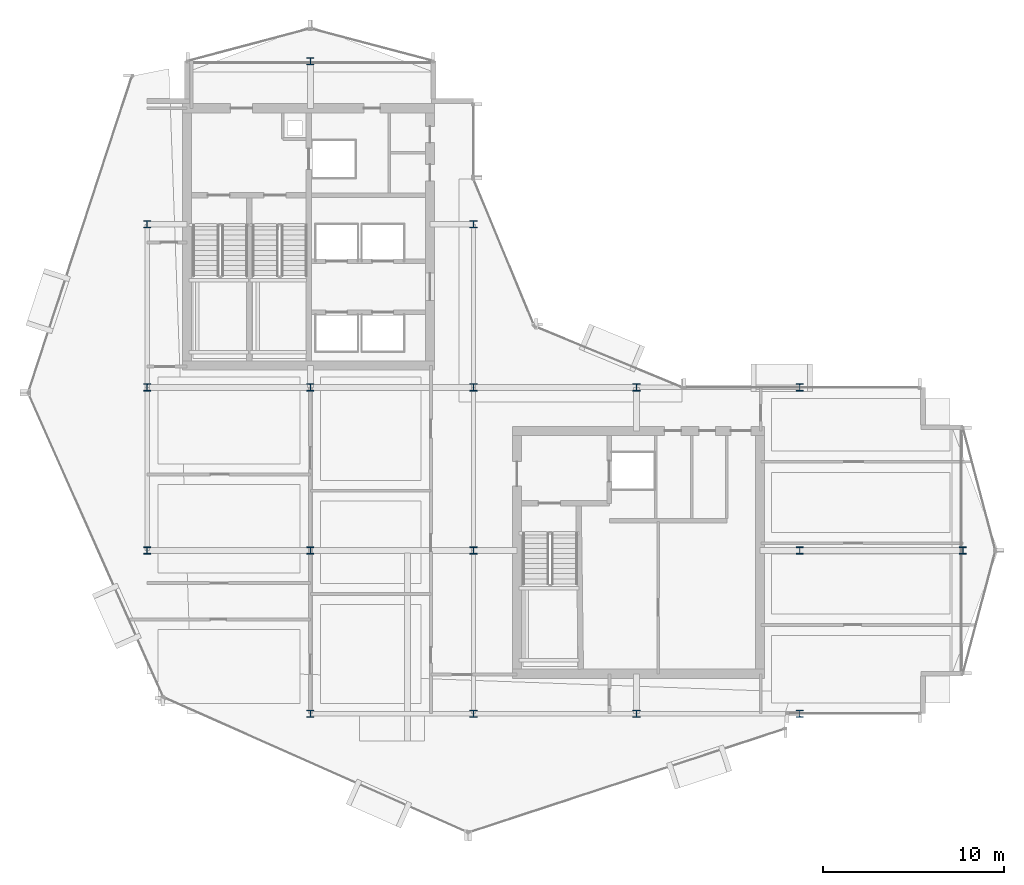
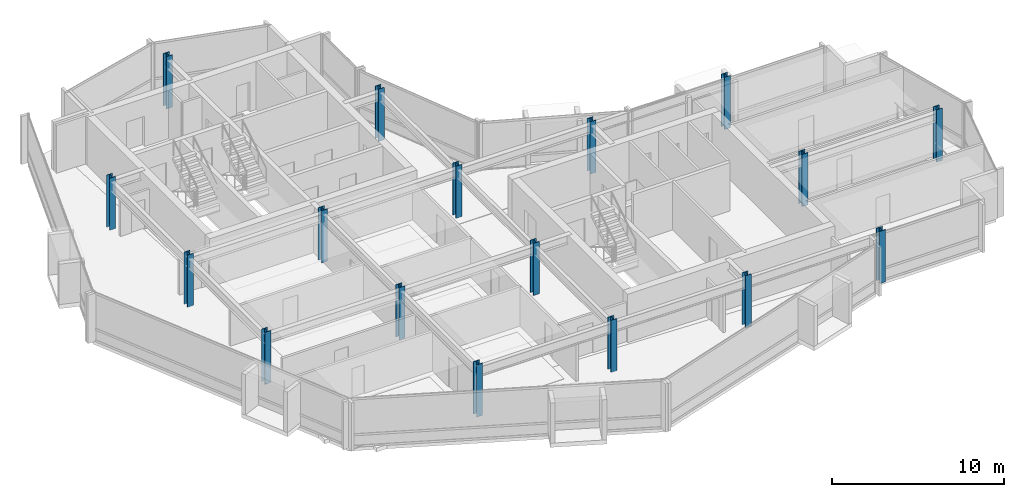
# One storey, part 1 of 28: 17 columns.
"""IFC4 building model written with IfcOpenShell, lengths in metres."""

from ifc_helpers import new_model, si_unit, direction, frame, origin, origin_2d, place, context, subcontext, project, spatial, i_section, extrude, material, material_profile, profile_set, type_object, element, save


model = new_model("IFC4")

# Units and contexts
model_context = context("Model", 3, precision=1e-05, world=origin(), true_north=direction((0.0, 1.0)))
body_context = subcontext(model_context, "Body", "Model", "MODEL_VIEW")
ifc_project = project(units=[si_unit("LENGTHUNIT", "METRE"), si_unit("AREAUNIT", "SQUARE_METRE"), si_unit("VOLUMEUNIT", "CUBIC_METRE"), si_unit("PLANEANGLEUNIT", "RADIAN"), si_unit("MASSUNIT", "GRAM", prefix="KILO")], contexts=[model_context])

# Site, building, storey
site_placement = place(None, origin())
site = spatial("IfcSite", under=ifc_project, at=site_placement, CompositionType="ELEMENT")
building_placement = place(site_placement, origin())
building = spatial("IfcBuilding", under=site, at=building_placement, Name="Solvaryn Broadcast Tower", CompositionType="ELEMENT")
storey_placement = place(building_placement, frame((0.0, 0.0, 217.300048828125)))
storey = spatial("IfcBuildingStorey", under=building, at=storey_placement, Name="L54", CompositionType="ELEMENT", Elevation=217.300048828125)

# Columns
ifc_material_1 = material(Name="Steel ASTM A913 Grade 65", Category="steel")
ifc_material_profile_1 = material_profile(ifc_material_1, i_section(OverallWidth=0.40087890625, OverallDepth=0.39892578125, WebThickness=0.02490234375, FlangeThickness=0.03955078125, FilletRadius=0.014892578125, at=origin_2d()))
ifc_profile_set_1 = profile_set([ifc_material_profile_1], Name="Steel ASTM A913 Grade 65")
column_type_1 = type_object("IfcColumnType", Name="COL-C08E-W14X211", PredefinedType="COLUMN", material=ifc_profile_set_1)
for number, where, z_axis, x_axis, name in (
    (1, (9.0, 18.0, 0.0), (0.0, 0.0, 1.0), (1.0, 0.0, 0.0), "L54 Column (9.0, 18.0)"),
    (2, (9.0, 27.0, 0.0), (0.0, 0.0, 1.0), (1.0, 0.0, 0.0), "L54 Column (9.0, 27.0)"),
    (3, (9.0, 36.0, 0.0), (0.0, 0.0, 1.0), (1.0, 0.0, 0.0), "L54 Column (9.0, 36.0)"),
    (4, (18.0, 9.0, 0.0), (0.0, 0.0, 1.0), (1.0, 0.0, 0.0), "L54 Column (18.0, 9.0)"),
    (5, (18.0, 45.0, 0.0), (0.0, 0.0, 1.0), (1.0, 0.0, 0.0), "L54 Column (18.0, 45.0)"),
    (6, (27.0, 9.0, 0.0), (0.0, 0.0, 1.0), (1.0, 0.0, 0.0), "L54 Column (27.0, 9.0)"),
    (7, (27.0, 36.0, 0.0), (0.0, 0.0, 1.0), (1.0, 0.0, 0.0), "L54 Column (27.0, 36.0)"),
    (8, (36.0, 9.0, 0.0), (0.0, 0.0, 1.0), (1.0, 0.0, 0.0), "L54 Column (36.0, 9.0)"),
    (9, (36.0, 27.0, 0.0), (0.0, 0.0, 1.0), (1.0, 0.0, 0.0), "L54 Column (36.0, 27.0)"),
    (10, (45.0, 9.0, 0.0), (0.0, 0.0, 1.0), (1.0, 0.0, 0.0), "L54 Column (45.0, 9.0)"),
    (11, (45.0, 27.0, 0.0), (0.0, 0.0, 1.0), (1.0, 0.0, 0.0), "L54 Column (45.0, 27.0)"),
    (12, (54.0, 18.0, 0.0), (0.0, 0.0, 1.0), (1.0, 0.0, 0.0), "L54 Column (54.0, 18.0)"),
):
    element("IfcColumn", number, at=place(storey_placement, frame(where, z_axis=z_axis, x_axis=x_axis)), inside=storey, type_object=column_type_1, Name=name, PredefinedType="COLUMN", context=body_context, shape_type="SweptSolid", body=[
        extrude(i_section(OverallWidth=0.40087890625, OverallDepth=0.39892578125, WebThickness=0.02490234375, FlangeThickness=0.03955078125, FilletRadius=0.014892578125, at=origin_2d()), origin(), (0.0, 0.0, 1.0), 3.699951171875),
    ])
ifc_material_2 = material(Name="Steel ASTM A913 Grade 65", Category="steel")
ifc_material_profile_2 = material_profile(ifc_material_2, i_section(OverallWidth=0.40087890625, OverallDepth=0.39892578125, WebThickness=0.02490234375, FlangeThickness=0.03955078125, FilletRadius=0.014892578125, at=origin_2d()))
ifc_profile_set_2 = profile_set([ifc_material_profile_2], Name="Steel ASTM A913 Grade 65")
column_type_2 = type_object("IfcColumnType", Name="COL-C08I-W14X211", PredefinedType="COLUMN", material=ifc_profile_set_2)
for number, where, z_axis, x_axis, name in (
    (13, (18.0, 18.0, 0.0), (0.0, 0.0, 1.0), (1.0, 0.0, 0.0), "L54 Column (18.0, 18.0)"),
    (14, (18.0, 27.0, 0.0), (0.0, 0.0, 1.0), (1.0, 0.0, 0.0), "L54 Column (18.0, 27.0)"),
    (15, (27.0, 18.0, 0.0), (0.0, 0.0, 1.0), (1.0, 0.0, 0.0), "L54 Column (27.0, 18.0)"),
    (16, (27.0, 27.0, 0.0), (0.0, 0.0, 1.0), (1.0, 0.0, 0.0), "L54 Column (27.0, 27.0)"),
    (17, (45.0, 18.0, 0.0), (0.0, 0.0, 1.0), (1.0, 0.0, 0.0), "L54 Column (45.0, 18.0)"),
):
    element("IfcColumn", number, at=place(storey_placement, frame(where, z_axis=z_axis, x_axis=x_axis)), inside=storey, type_object=column_type_2, Name=name, PredefinedType="COLUMN", context=body_context, shape_type="SweptSolid", body=[
        extrude(i_section(OverallWidth=0.40087890625, OverallDepth=0.39892578125, WebThickness=0.02490234375, FlangeThickness=0.03955078125, FilletRadius=0.014892578125, at=origin_2d()), origin(), (0.0, 0.0, 1.0), 3.699951171875),
    ])

save(model, "model.ifc")
